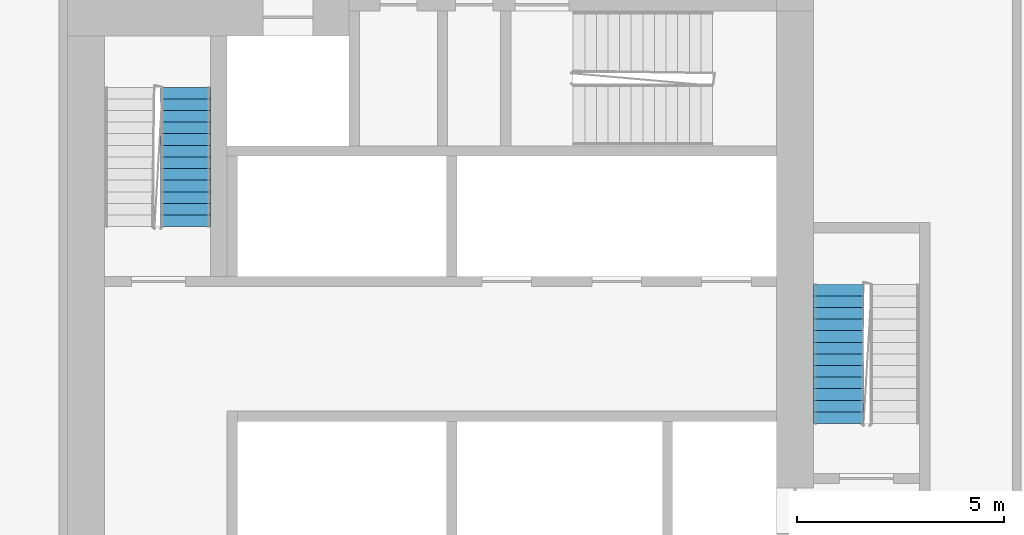
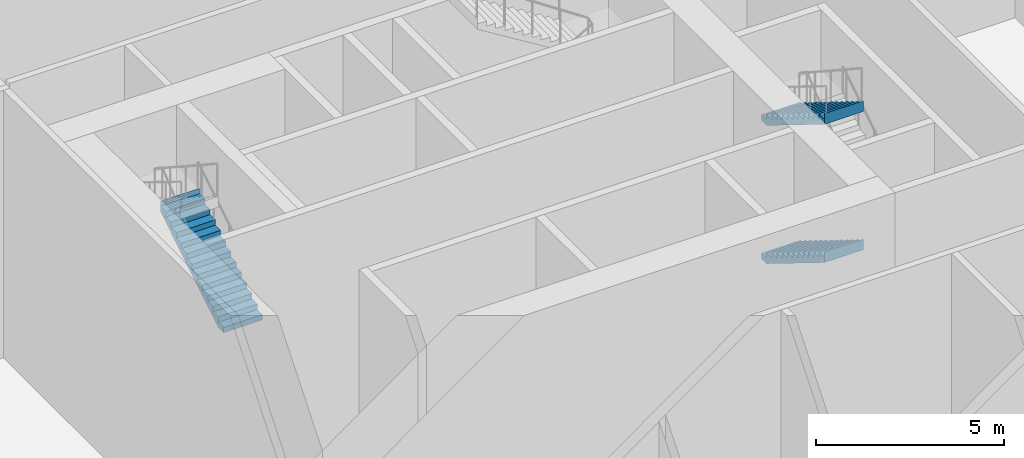
# One storey, part 18 of 24: 3 stair flights, 2 elements without a shape of their own.
"""IFC4 building model written with IfcOpenShell, lengths in metres."""

from ifc_helpers import new_model, si_unit, direction, frame, origin, place, context, subcontext, project, spatial, faceted_brep, material, type_object, element, aggregate, save


model = new_model("IFC4")

# Units and contexts
model_context = context("Model", 3, precision=1e-05, world=origin(), true_north=direction((0.0, 1.0)))
body_context = subcontext(model_context, "Body", "Model", "MODEL_VIEW")
ifc_project = project(units=[si_unit("LENGTHUNIT", "METRE"), si_unit("AREAUNIT", "SQUARE_METRE"), si_unit("VOLUMEUNIT", "CUBIC_METRE"), si_unit("PLANEANGLEUNIT", "RADIAN"), si_unit("MASSUNIT", "GRAM", prefix="KILO")], contexts=[model_context])

# Site, building, storey
site_placement = place(None, origin())
site = spatial("IfcSite", under=ifc_project, at=site_placement, CompositionType="ELEMENT")
building_placement = place(site_placement, origin())
building = spatial("IfcBuilding", under=site, at=building_placement, Name="Kajstack Hotel Tower", CompositionType="ELEMENT")
storey_placement = place(building_placement, frame((0.0, 0.0, 38.0)))
storey = spatial("IfcBuildingStorey", under=building, at=storey_placement, Name="L06", CompositionType="ELEMENT", Elevation=38.0)

# Stair, stair flights
ifc_material = material(Name="Concrete C40/50", Category="concrete")
stair_type = type_object("IfcStairType", Name="Exit stair 1200", PredefinedType="HALF_TURN_STAIR", material=ifc_material)
stair_1_placement = place(storey_placement, origin())
stair_1 = element("IfcStair", 1, at=stair_1_placement, inside=storey, type_object=stair_type, Name="L06 stair E1", PredefinedType="HALF_TURN_STAIR")
stair_flight_type = type_object("IfcStairFlightType", Name="Exit stair flight 1200", PredefinedType="STRAIGHT", material=ifc_material)
stair_flight_1_placement = place(storey_placement, frame((32.10009765625, 8.610107421875, 2.25), z_axis=(0.0, 0.0, 1.0), x_axis=(0.0, -1.0, 0.0)))
stair_flight_1 = element("IfcStairFlight", 2, at=stair_flight_1_placement, type_object=stair_flight_type, Name="E1 flight 2", NumberOfRisers=13, NumberOfTreads=12, PredefinedType="STRAIGHT", RiserHeight=0.173076923, TreadLength=0.28, context=body_context, shape_type="Brep", body=[
    faceted_brep([(0.28564453125, -0.60009765625, 0.0), (3.360595703125, -0.60009765625, 1.900634765625), (3.360595703125, -0.60009765625, 2.25), (3.360107421875, -0.60009765625, 2.25), (3.360107421875, -0.60009765625, 2.076904296875), (3.080078125, -0.60009765625, 2.076904296875), (3.080078125, -0.60009765625, 1.90380859375), (2.800048828125, -0.60009765625, 1.90380859375), (2.800048828125, -0.60009765625, 1.730712890625), (2.52001953125, -0.60009765625, 1.730712890625), (2.52001953125, -0.60009765625, 1.5576171875), (2.239990234375, -0.60009765625, 1.5576171875), (2.239990234375, -0.60009765625, 1.384521484375), (1.9599609375, -0.60009765625, 1.384521484375), (1.9599609375, -0.60009765625, 1.21142578125), (1.679931640625, -0.60009765625, 1.21142578125), (1.679931640625, -0.60009765625, 1.03857421875), (1.39990234375, -0.60009765625, 1.03857421875), (1.39990234375, -0.60009765625, 0.865478515625), (1.1201171875, -0.60009765625, 0.865478515625), (1.1201171875, -0.60009765625, 0.6923828125), (0.840087890625, -0.60009765625, 0.6923828125), (0.840087890625, -0.60009765625, 0.519287109375), (0.56005859375, -0.60009765625, 0.519287109375), (0.56005859375, -0.60009765625, 0.34619140625), (0.280029296875, -0.60009765625, 0.34619140625), (0.280029296875, -0.60009765625, 0.173095703125), (-0.00048828125, -0.60009765625, 0.173095703125), (-0.00048828125, -0.60009765625, 0.0), (-0.00048828125, 0.60009765625, 0.0), (-0.00048828125, 0.60009765625, 0.173095703125), (0.280029296875, 0.60009765625, 0.173095703125), (0.280029296875, 0.60009765625, 0.34619140625), (0.56005859375, 0.60009765625, 0.34619140625), (0.56005859375, 0.60009765625, 0.519287109375), (0.840087890625, 0.60009765625, 0.519287109375), (0.840087890625, 0.60009765625, 0.6923828125), (1.1201171875, 0.60009765625, 0.6923828125), (1.1201171875, 0.60009765625, 0.865478515625), (1.39990234375, 0.60009765625, 0.865478515625), (1.39990234375, 0.60009765625, 1.03857421875), (1.679931640625, 0.60009765625, 1.03857421875), (1.679931640625, 0.60009765625, 1.21142578125), (1.9599609375, 0.60009765625, 1.21142578125), (1.9599609375, 0.60009765625, 1.384521484375), (2.239990234375, 0.60009765625, 1.384521484375), (2.239990234375, 0.60009765625, 1.5576171875), (2.52001953125, 0.60009765625, 1.5576171875), (2.52001953125, 0.60009765625, 1.730712890625), (2.800048828125, 0.60009765625, 1.730712890625), (2.800048828125, 0.60009765625, 1.90380859375), (3.080078125, 0.60009765625, 1.90380859375), (3.080078125, 0.60009765625, 2.076904296875), (3.360107421875, 0.60009765625, 2.076904296875), (3.360107421875, 0.60009765625, 2.25), (3.360595703125, 0.60009765625, 2.25), (3.360595703125, 0.60009765625, 1.900634765625), (0.28564453125, 0.60009765625, 0.0), (-0.00048828125, -0.300048828125, 0.173095703125), (-0.00048828125, 0.0, 0.173095703125), (-0.00048828125, 0.300048828125, 0.173095703125), (-0.00048828125, 0.300048828125, 0.0), (-0.00048828125, 0.0, 0.0), (-0.00048828125, -0.300048828125, 0.0), (0.280029296875, -0.300048828125, 0.173095703125), (0.280029296875, 0.0, 0.173095703125), (0.280029296875, 0.300048828125, 0.173095703125), (0.280029296875, -0.300048828125, 0.34619140625), (0.280029296875, 0.0, 0.34619140625), (0.280029296875, 0.300048828125, 0.34619140625), (0.56005859375, -0.300048828125, 0.34619140625), (0.56005859375, 0.0, 0.34619140625), (0.56005859375, 0.300048828125, 0.34619140625), (0.56005859375, -0.300048828125, 0.519287109375), (0.56005859375, 0.0, 0.519287109375), (0.56005859375, 0.300048828125, 0.519287109375), (0.840087890625, -0.300048828125, 0.519287109375), (0.840087890625, 0.0, 0.519287109375), (0.840087890625, 0.300048828125, 0.519287109375), (0.840087890625, -0.300048828125, 0.6923828125), (0.840087890625, 0.0, 0.6923828125), (0.840087890625, 0.300048828125, 0.6923828125), (1.1201171875, -0.300048828125, 0.6923828125), (1.1201171875, 0.0, 0.6923828125), (1.1201171875, 0.300048828125, 0.6923828125), (1.1201171875, -0.300048828125, 0.865478515625), (1.1201171875, 0.0, 0.865478515625), (1.1201171875, 0.300048828125, 0.865478515625), (1.39990234375, -0.300048828125, 0.865478515625), (1.39990234375, 0.0, 0.865478515625), (1.39990234375, 0.300048828125, 0.865478515625), (1.39990234375, -0.300048828125, 1.03857421875), (1.39990234375, 0.0, 1.03857421875), (1.39990234375, 0.300048828125, 1.03857421875), (1.679931640625, -0.300048828125, 1.03857421875), (1.679931640625, 0.0, 1.03857421875), (1.679931640625, 0.300048828125, 1.03857421875), (1.679931640625, -0.300048828125, 1.21142578125), (1.679931640625, 0.0, 1.21142578125), (1.679931640625, 0.300048828125, 1.21142578125), (1.9599609375, -0.300048828125, 1.21142578125), (1.9599609375, 0.0, 1.21142578125), (1.9599609375, 0.300048828125, 1.21142578125), (1.9599609375, -0.300048828125, 1.384521484375), (1.9599609375, 0.0, 1.384521484375), (1.9599609375, 0.300048828125, 1.384521484375), (2.239990234375, -0.300048828125, 1.384521484375), (2.239990234375, 0.0, 1.384521484375), (2.239990234375, 0.300048828125, 1.384521484375), (2.239990234375, -0.300048828125, 1.5576171875), (2.239990234375, 0.0, 1.5576171875), (2.239990234375, 0.300048828125, 1.5576171875), (2.52001953125, -0.300048828125, 1.5576171875), (2.52001953125, 0.0, 1.5576171875), (2.52001953125, 0.300048828125, 1.5576171875), (2.52001953125, -0.300048828125, 1.730712890625), (2.52001953125, 0.0, 1.730712890625), (2.52001953125, 0.300048828125, 1.730712890625), (2.800048828125, -0.300048828125, 1.730712890625), (2.800048828125, 0.0, 1.730712890625), (2.800048828125, 0.300048828125, 1.730712890625), (2.800048828125, -0.300048828125, 1.90380859375), (2.800048828125, 0.0, 1.90380859375), (2.800048828125, 0.300048828125, 1.90380859375), (3.080078125, -0.300048828125, 1.90380859375), (3.080078125, 0.0, 1.90380859375), (3.080078125, 0.300048828125, 1.90380859375), (3.080078125, -0.300048828125, 2.076904296875), (3.080078125, 0.0, 2.076904296875), (3.080078125, 0.300048828125, 2.076904296875), (3.360107421875, -0.300048828125, 2.076904296875), (3.360107421875, 0.0, 2.076904296875), (3.360107421875, 0.300048828125, 2.076904296875), (3.360107421875, -0.300048828125, 2.25), (3.360107421875, 0.0, 2.25), (3.360107421875, 0.300048828125, 2.25), (3.360595703125, -0.300048828125, 2.25), (3.360595703125, 0.0, 2.25), (3.360595703125, 0.300048828125, 2.25), (3.360595703125, -0.300048828125, 1.900634765625), (3.360595703125, 0.0, 1.900634765625), (3.360595703125, 0.300048828125, 1.900634765625), (0.28564453125, -0.300048828125, 0.0), (0.28564453125, 0.0, 0.0), (0.28564453125, 0.300048828125, 0.0)], [[[0, 1, 2, 3, 4, 5, 6, 7, 8, 9, 10, 11, 12, 13, 14, 15, 16, 17, 18, 19, 20, 21, 22, 23, 24, 25, 26, 27, 28]], [[29, 30, 31, 32, 33, 34, 35, 36, 37, 38, 39, 40, 41, 42, 43, 44, 45, 46, 47, 48, 49, 50, 51, 52, 53, 54, 55, 56, 57]], [[27, 58, 59, 60, 30, 29, 61, 62, 63, 28]], [[26, 64, 65, 66, 31, 30, 60, 59, 58, 27]], [[25, 67, 68, 69, 32, 31, 66, 65, 64, 26]], [[24, 70, 71, 72, 33, 32, 69, 68, 67, 25]], [[23, 73, 74, 75, 34, 33, 72, 71, 70, 24]], [[22, 76, 77, 78, 35, 34, 75, 74, 73, 23]], [[21, 79, 80, 81, 36, 35, 78, 77, 76, 22]], [[20, 82, 83, 84, 37, 36, 81, 80, 79, 21]], [[19, 85, 86, 87, 38, 37, 84, 83, 82, 20]], [[18, 88, 89, 90, 39, 38, 87, 86, 85, 19]], [[17, 91, 92, 93, 40, 39, 90, 89, 88, 18]], [[16, 94, 95, 96, 41, 40, 93, 92, 91, 17]], [[15, 97, 98, 99, 42, 41, 96, 95, 94, 16]], [[14, 100, 101, 102, 43, 42, 99, 98, 97, 15]], [[13, 103, 104, 105, 44, 43, 102, 101, 100, 14]], [[12, 106, 107, 108, 45, 44, 105, 104, 103, 13]], [[11, 109, 110, 111, 46, 45, 108, 107, 106, 12]], [[10, 112, 113, 114, 47, 46, 111, 110, 109, 11]], [[9, 115, 116, 117, 48, 47, 114, 113, 112, 10]], [[8, 118, 119, 120, 49, 48, 117, 116, 115, 9]], [[7, 121, 122, 123, 50, 49, 120, 119, 118, 8]], [[6, 124, 125, 126, 51, 50, 123, 122, 121, 7]], [[5, 127, 128, 129, 52, 51, 126, 125, 124, 6]], [[4, 130, 131, 132, 53, 52, 129, 128, 127, 5]], [[3, 133, 134, 135, 54, 53, 132, 131, 130, 4]], [[2, 136, 137, 138, 55, 54, 135, 134, 133, 3]], [[1, 139, 140, 141, 56, 55, 138, 137, 136, 2]], [[0, 142, 143, 144, 57, 56, 141, 140, 139, 1]], [[28, 63, 62, 61, 29, 57, 144, 143, 142, 0]]]),
])
stair_flight_2_placement = place(storey_placement, frame((32.10009765625, 8.610107421875, 6.75), z_axis=(0.0, 0.0, 1.0), x_axis=(0.0, -1.0, 0.0)))
stair_flight_2 = element("IfcStairFlight", 3, at=stair_flight_2_placement, type_object=stair_flight_type, Name="E1 flight 4", NumberOfRisers=13, NumberOfTreads=12, PredefinedType="STRAIGHT", RiserHeight=0.173076923, TreadLength=0.28, context=body_context, shape_type="Brep", body=[
    faceted_brep([(0.28564453125, -0.60009765625, 0.0), (3.360595703125, -0.60009765625, 1.900634765625), (3.360595703125, -0.60009765625, 2.25), (3.360107421875, -0.60009765625, 2.25), (3.360107421875, -0.60009765625, 2.076904296875), (3.080078125, -0.60009765625, 2.076904296875), (3.080078125, -0.60009765625, 1.90380859375), (2.800048828125, -0.60009765625, 1.90380859375), (2.800048828125, -0.60009765625, 1.730712890625), (2.52001953125, -0.60009765625, 1.730712890625), (2.52001953125, -0.60009765625, 1.5576171875), (2.239990234375, -0.60009765625, 1.5576171875), (2.239990234375, -0.60009765625, 1.384521484375), (1.9599609375, -0.60009765625, 1.384521484375), (1.9599609375, -0.60009765625, 1.21142578125), (1.679931640625, -0.60009765625, 1.21142578125), (1.679931640625, -0.60009765625, 1.03857421875), (1.39990234375, -0.60009765625, 1.03857421875), (1.39990234375, -0.60009765625, 0.865478515625), (1.1201171875, -0.60009765625, 0.865478515625), (1.1201171875, -0.60009765625, 0.6923828125), (0.840087890625, -0.60009765625, 0.6923828125), (0.840087890625, -0.60009765625, 0.519287109375), (0.56005859375, -0.60009765625, 0.519287109375), (0.56005859375, -0.60009765625, 0.34619140625), (0.280029296875, -0.60009765625, 0.34619140625), (0.280029296875, -0.60009765625, 0.173095703125), (-0.00048828125, -0.60009765625, 0.173095703125), (-0.00048828125, -0.60009765625, 0.0), (-0.00048828125, 0.60009765625, 0.0), (-0.00048828125, 0.60009765625, 0.173095703125), (0.280029296875, 0.60009765625, 0.173095703125), (0.280029296875, 0.60009765625, 0.34619140625), (0.56005859375, 0.60009765625, 0.34619140625), (0.56005859375, 0.60009765625, 0.519287109375), (0.840087890625, 0.60009765625, 0.519287109375), (0.840087890625, 0.60009765625, 0.6923828125), (1.1201171875, 0.60009765625, 0.6923828125), (1.1201171875, 0.60009765625, 0.865478515625), (1.39990234375, 0.60009765625, 0.865478515625), (1.39990234375, 0.60009765625, 1.03857421875), (1.679931640625, 0.60009765625, 1.03857421875), (1.679931640625, 0.60009765625, 1.21142578125), (1.9599609375, 0.60009765625, 1.21142578125), (1.9599609375, 0.60009765625, 1.384521484375), (2.239990234375, 0.60009765625, 1.384521484375), (2.239990234375, 0.60009765625, 1.5576171875), (2.52001953125, 0.60009765625, 1.5576171875), (2.52001953125, 0.60009765625, 1.730712890625), (2.800048828125, 0.60009765625, 1.730712890625), (2.800048828125, 0.60009765625, 1.90380859375), (3.080078125, 0.60009765625, 1.90380859375), (3.080078125, 0.60009765625, 2.076904296875), (3.360107421875, 0.60009765625, 2.076904296875), (3.360107421875, 0.60009765625, 2.25), (3.360595703125, 0.60009765625, 2.25), (3.360595703125, 0.60009765625, 1.900634765625), (0.28564453125, 0.60009765625, 0.0), (-0.00048828125, -0.300048828125, 0.173095703125), (-0.00048828125, 0.0, 0.173095703125), (-0.00048828125, 0.300048828125, 0.173095703125), (-0.00048828125, 0.300048828125, 0.0), (-0.00048828125, 0.0, 0.0), (-0.00048828125, -0.300048828125, 0.0), (0.280029296875, -0.300048828125, 0.173095703125), (0.280029296875, 0.0, 0.173095703125), (0.280029296875, 0.300048828125, 0.173095703125), (0.280029296875, -0.300048828125, 0.34619140625), (0.280029296875, 0.0, 0.34619140625), (0.280029296875, 0.300048828125, 0.34619140625), (0.56005859375, -0.300048828125, 0.34619140625), (0.56005859375, 0.0, 0.34619140625), (0.56005859375, 0.300048828125, 0.34619140625), (0.56005859375, -0.300048828125, 0.519287109375), (0.56005859375, 0.0, 0.519287109375), (0.56005859375, 0.300048828125, 0.519287109375), (0.840087890625, -0.300048828125, 0.519287109375), (0.840087890625, 0.0, 0.519287109375), (0.840087890625, 0.300048828125, 0.519287109375), (0.840087890625, -0.300048828125, 0.6923828125), (0.840087890625, 0.0, 0.6923828125), (0.840087890625, 0.300048828125, 0.6923828125), (1.1201171875, -0.300048828125, 0.6923828125), (1.1201171875, 0.0, 0.6923828125), (1.1201171875, 0.300048828125, 0.6923828125), (1.1201171875, -0.300048828125, 0.865478515625), (1.1201171875, 0.0, 0.865478515625), (1.1201171875, 0.300048828125, 0.865478515625), (1.39990234375, -0.300048828125, 0.865478515625), (1.39990234375, 0.0, 0.865478515625), (1.39990234375, 0.300048828125, 0.865478515625), (1.39990234375, -0.300048828125, 1.03857421875), (1.39990234375, 0.0, 1.03857421875), (1.39990234375, 0.300048828125, 1.03857421875), (1.679931640625, -0.300048828125, 1.03857421875), (1.679931640625, 0.0, 1.03857421875), (1.679931640625, 0.300048828125, 1.03857421875), (1.679931640625, -0.300048828125, 1.21142578125), (1.679931640625, 0.0, 1.21142578125), (1.679931640625, 0.300048828125, 1.21142578125), (1.9599609375, -0.300048828125, 1.21142578125), (1.9599609375, 0.0, 1.21142578125), (1.9599609375, 0.300048828125, 1.21142578125), (1.9599609375, -0.300048828125, 1.384521484375), (1.9599609375, 0.0, 1.384521484375), (1.9599609375, 0.300048828125, 1.384521484375), (2.239990234375, -0.300048828125, 1.384521484375), (2.239990234375, 0.0, 1.384521484375), (2.239990234375, 0.300048828125, 1.384521484375), (2.239990234375, -0.300048828125, 1.5576171875), (2.239990234375, 0.0, 1.5576171875), (2.239990234375, 0.300048828125, 1.5576171875), (2.52001953125, -0.300048828125, 1.5576171875), (2.52001953125, 0.0, 1.5576171875), (2.52001953125, 0.300048828125, 1.5576171875), (2.52001953125, -0.300048828125, 1.730712890625), (2.52001953125, 0.0, 1.730712890625), (2.52001953125, 0.300048828125, 1.730712890625), (2.800048828125, -0.300048828125, 1.730712890625), (2.800048828125, 0.0, 1.730712890625), (2.800048828125, 0.300048828125, 1.730712890625), (2.800048828125, -0.300048828125, 1.90380859375), (2.800048828125, 0.0, 1.90380859375), (2.800048828125, 0.300048828125, 1.90380859375), (3.080078125, -0.300048828125, 1.90380859375), (3.080078125, 0.0, 1.90380859375), (3.080078125, 0.300048828125, 1.90380859375), (3.080078125, -0.300048828125, 2.076904296875), (3.080078125, 0.0, 2.076904296875), (3.080078125, 0.300048828125, 2.076904296875), (3.360107421875, -0.300048828125, 2.076904296875), (3.360107421875, 0.0, 2.076904296875), (3.360107421875, 0.300048828125, 2.076904296875), (3.360107421875, -0.300048828125, 2.25), (3.360107421875, 0.0, 2.25), (3.360107421875, 0.300048828125, 2.25), (3.360595703125, -0.300048828125, 2.25), (3.360595703125, 0.0, 2.25), (3.360595703125, 0.300048828125, 2.25), (3.360595703125, -0.300048828125, 1.900634765625), (3.360595703125, 0.0, 1.900634765625), (3.360595703125, 0.300048828125, 1.900634765625), (0.28564453125, -0.300048828125, 0.0), (0.28564453125, 0.0, 0.0), (0.28564453125, 0.300048828125, 0.0)], [[[0, 1, 2, 3, 4, 5, 6, 7, 8, 9, 10, 11, 12, 13, 14, 15, 16, 17, 18, 19, 20, 21, 22, 23, 24, 25, 26, 27, 28]], [[29, 30, 31, 32, 33, 34, 35, 36, 37, 38, 39, 40, 41, 42, 43, 44, 45, 46, 47, 48, 49, 50, 51, 52, 53, 54, 55, 56, 57]], [[27, 58, 59, 60, 30, 29, 61, 62, 63, 28]], [[26, 64, 65, 66, 31, 30, 60, 59, 58, 27]], [[25, 67, 68, 69, 32, 31, 66, 65, 64, 26]], [[24, 70, 71, 72, 33, 32, 69, 68, 67, 25]], [[23, 73, 74, 75, 34, 33, 72, 71, 70, 24]], [[22, 76, 77, 78, 35, 34, 75, 74, 73, 23]], [[21, 79, 80, 81, 36, 35, 78, 77, 76, 22]], [[20, 82, 83, 84, 37, 36, 81, 80, 79, 21]], [[19, 85, 86, 87, 38, 37, 84, 83, 82, 20]], [[18, 88, 89, 90, 39, 38, 87, 86, 85, 19]], [[17, 91, 92, 93, 40, 39, 90, 89, 88, 18]], [[16, 94, 95, 96, 41, 40, 93, 92, 91, 17]], [[15, 97, 98, 99, 42, 41, 96, 95, 94, 16]], [[14, 100, 101, 102, 43, 42, 99, 98, 97, 15]], [[13, 103, 104, 105, 44, 43, 102, 101, 100, 14]], [[12, 106, 107, 108, 45, 44, 105, 104, 103, 13]], [[11, 109, 110, 111, 46, 45, 108, 107, 106, 12]], [[10, 112, 113, 114, 47, 46, 111, 110, 109, 11]], [[9, 115, 116, 117, 48, 47, 114, 113, 112, 10]], [[8, 118, 119, 120, 49, 48, 117, 116, 115, 9]], [[7, 121, 122, 123, 50, 49, 120, 119, 118, 8]], [[6, 124, 125, 126, 51, 50, 123, 122, 121, 7]], [[5, 127, 128, 129, 52, 51, 126, 125, 124, 6]], [[4, 130, 131, 132, 53, 52, 129, 128, 127, 5]], [[3, 133, 134, 135, 54, 53, 132, 131, 130, 4]], [[2, 136, 137, 138, 55, 54, 135, 134, 133, 3]], [[1, 139, 140, 141, 56, 55, 138, 137, 136, 2]], [[0, 142, 143, 144, 57, 56, 141, 140, 139, 1]], [[28, 63, 62, 61, 29, 57, 144, 143, 142, 0]]]),
])
aggregate(stair_1, [stair_flight_1, stair_flight_2])

# Stair, stair flight
stair_2_placement = place(storey_placement, origin())
stair_2 = element("IfcStair", 4, at=stair_2_placement, inside=storey, type_object=stair_type, Name="L06 stair E2", PredefinedType="HALF_TURN_STAIR")
stair_flight_3_placement = place(storey_placement, frame((16.35009765625, 10.0, 4.5), z_axis=(0.0, 0.0, 1.0), x_axis=(0.0, 1.0, 0.0)))
stair_flight_3 = element("IfcStairFlight", 5, at=stair_flight_3_placement, type_object=stair_flight_type, Name="E2 flight 3", NumberOfRisers=13, NumberOfTreads=12, PredefinedType="STRAIGHT", RiserHeight=0.173076923, TreadLength=0.28, context=body_context, shape_type="Brep", body=[
    faceted_brep([(0.28564453125, -0.60009765625, 0.0), (3.360595703125, -0.60009765625, 1.900634765625), (3.360595703125, -0.60009765625, 2.25), (3.360107421875, -0.60009765625, 2.25), (3.360107421875, -0.60009765625, 2.076904296875), (3.080078125, -0.60009765625, 2.076904296875), (3.080078125, -0.60009765625, 1.90380859375), (2.800048828125, -0.60009765625, 1.90380859375), (2.800048828125, -0.60009765625, 1.730712890625), (2.52001953125, -0.60009765625, 1.730712890625), (2.52001953125, -0.60009765625, 1.5576171875), (2.239990234375, -0.60009765625, 1.5576171875), (2.239990234375, -0.60009765625, 1.384521484375), (1.9599609375, -0.60009765625, 1.384521484375), (1.9599609375, -0.60009765625, 1.21142578125), (1.679931640625, -0.60009765625, 1.21142578125), (1.679931640625, -0.60009765625, 1.03857421875), (1.39990234375, -0.60009765625, 1.03857421875), (1.39990234375, -0.60009765625, 0.865478515625), (1.1201171875, -0.60009765625, 0.865478515625), (1.1201171875, -0.60009765625, 0.6923828125), (0.840087890625, -0.60009765625, 0.6923828125), (0.840087890625, -0.60009765625, 0.519287109375), (0.56005859375, -0.60009765625, 0.519287109375), (0.56005859375, -0.60009765625, 0.34619140625), (0.280029296875, -0.60009765625, 0.34619140625), (0.280029296875, -0.60009765625, 0.173095703125), (-0.00048828125, -0.60009765625, 0.173095703125), (-0.00048828125, -0.60009765625, 0.0), (-0.00048828125, 0.60009765625, 0.0), (-0.00048828125, 0.60009765625, 0.173095703125), (0.280029296875, 0.60009765625, 0.173095703125), (0.280029296875, 0.60009765625, 0.34619140625), (0.56005859375, 0.60009765625, 0.34619140625), (0.56005859375, 0.60009765625, 0.519287109375), (0.840087890625, 0.60009765625, 0.519287109375), (0.840087890625, 0.60009765625, 0.6923828125), (1.1201171875, 0.60009765625, 0.6923828125), (1.1201171875, 0.60009765625, 0.865478515625), (1.39990234375, 0.60009765625, 0.865478515625), (1.39990234375, 0.60009765625, 1.03857421875), (1.679931640625, 0.60009765625, 1.03857421875), (1.679931640625, 0.60009765625, 1.21142578125), (1.9599609375, 0.60009765625, 1.21142578125), (1.9599609375, 0.60009765625, 1.384521484375), (2.239990234375, 0.60009765625, 1.384521484375), (2.239990234375, 0.60009765625, 1.5576171875), (2.52001953125, 0.60009765625, 1.5576171875), (2.52001953125, 0.60009765625, 1.730712890625), (2.800048828125, 0.60009765625, 1.730712890625), (2.800048828125, 0.60009765625, 1.90380859375), (3.080078125, 0.60009765625, 1.90380859375), (3.080078125, 0.60009765625, 2.076904296875), (3.360107421875, 0.60009765625, 2.076904296875), (3.360107421875, 0.60009765625, 2.25), (3.360595703125, 0.60009765625, 2.25), (3.360595703125, 0.60009765625, 1.900634765625), (0.28564453125, 0.60009765625, 0.0), (-0.00048828125, -0.300048828125, 0.173095703125), (-0.00048828125, 0.0, 0.173095703125), (-0.00048828125, 0.300048828125, 0.173095703125), (-0.00048828125, 0.300048828125, 0.0), (-0.00048828125, 0.0, 0.0), (-0.00048828125, -0.300048828125, 0.0), (0.280029296875, -0.300048828125, 0.173095703125), (0.280029296875, 0.0, 0.173095703125), (0.280029296875, 0.300048828125, 0.173095703125), (0.280029296875, -0.300048828125, 0.34619140625), (0.280029296875, 0.0, 0.34619140625), (0.280029296875, 0.300048828125, 0.34619140625), (0.56005859375, -0.300048828125, 0.34619140625), (0.56005859375, 0.0, 0.34619140625), (0.56005859375, 0.300048828125, 0.34619140625), (0.56005859375, -0.300048828125, 0.519287109375), (0.56005859375, 0.0, 0.519287109375), (0.56005859375, 0.300048828125, 0.519287109375), (0.840087890625, -0.300048828125, 0.519287109375), (0.840087890625, 0.0, 0.519287109375), (0.840087890625, 0.300048828125, 0.519287109375), (0.840087890625, -0.300048828125, 0.6923828125), (0.840087890625, 0.0, 0.6923828125), (0.840087890625, 0.300048828125, 0.6923828125), (1.1201171875, -0.300048828125, 0.6923828125), (1.1201171875, 0.0, 0.6923828125), (1.1201171875, 0.300048828125, 0.6923828125), (1.1201171875, -0.300048828125, 0.865478515625), (1.1201171875, 0.0, 0.865478515625), (1.1201171875, 0.300048828125, 0.865478515625), (1.39990234375, -0.300048828125, 0.865478515625), (1.39990234375, 0.0, 0.865478515625), (1.39990234375, 0.300048828125, 0.865478515625), (1.39990234375, -0.300048828125, 1.03857421875), (1.39990234375, 0.0, 1.03857421875), (1.39990234375, 0.300048828125, 1.03857421875), (1.679931640625, -0.300048828125, 1.03857421875), (1.679931640625, 0.0, 1.03857421875), (1.679931640625, 0.300048828125, 1.03857421875), (1.679931640625, -0.300048828125, 1.21142578125), (1.679931640625, 0.0, 1.21142578125), (1.679931640625, 0.300048828125, 1.21142578125), (1.9599609375, -0.300048828125, 1.21142578125), (1.9599609375, 0.0, 1.21142578125), (1.9599609375, 0.300048828125, 1.21142578125), (1.9599609375, -0.300048828125, 1.384521484375), (1.9599609375, 0.0, 1.384521484375), (1.9599609375, 0.300048828125, 1.384521484375), (2.239990234375, -0.300048828125, 1.384521484375), (2.239990234375, 0.0, 1.384521484375), (2.239990234375, 0.300048828125, 1.384521484375), (2.239990234375, -0.300048828125, 1.5576171875), (2.239990234375, 0.0, 1.5576171875), (2.239990234375, 0.300048828125, 1.5576171875), (2.52001953125, -0.300048828125, 1.5576171875), (2.52001953125, 0.0, 1.5576171875), (2.52001953125, 0.300048828125, 1.5576171875), (2.52001953125, -0.300048828125, 1.730712890625), (2.52001953125, 0.0, 1.730712890625), (2.52001953125, 0.300048828125, 1.730712890625), (2.800048828125, -0.300048828125, 1.730712890625), (2.800048828125, 0.0, 1.730712890625), (2.800048828125, 0.300048828125, 1.730712890625), (2.800048828125, -0.300048828125, 1.90380859375), (2.800048828125, 0.0, 1.90380859375), (2.800048828125, 0.300048828125, 1.90380859375), (3.080078125, -0.300048828125, 1.90380859375), (3.080078125, 0.0, 1.90380859375), (3.080078125, 0.300048828125, 1.90380859375), (3.080078125, -0.300048828125, 2.076904296875), (3.080078125, 0.0, 2.076904296875), (3.080078125, 0.300048828125, 2.076904296875), (3.360107421875, -0.300048828125, 2.076904296875), (3.360107421875, 0.0, 2.076904296875), (3.360107421875, 0.300048828125, 2.076904296875), (3.360107421875, -0.300048828125, 2.25), (3.360107421875, 0.0, 2.25), (3.360107421875, 0.300048828125, 2.25), (3.360595703125, -0.300048828125, 2.25), (3.360595703125, 0.0, 2.25), (3.360595703125, 0.300048828125, 2.25), (3.360595703125, -0.300048828125, 1.900634765625), (3.360595703125, 0.0, 1.900634765625), (3.360595703125, 0.300048828125, 1.900634765625), (0.28564453125, -0.300048828125, 0.0), (0.28564453125, 0.0, 0.0), (0.28564453125, 0.300048828125, 0.0)], [[[0, 1, 2, 3, 4, 5, 6, 7, 8, 9, 10, 11, 12, 13, 14, 15, 16, 17, 18, 19, 20, 21, 22, 23, 24, 25, 26, 27, 28]], [[29, 30, 31, 32, 33, 34, 35, 36, 37, 38, 39, 40, 41, 42, 43, 44, 45, 46, 47, 48, 49, 50, 51, 52, 53, 54, 55, 56, 57]], [[27, 58, 59, 60, 30, 29, 61, 62, 63, 28]], [[26, 64, 65, 66, 31, 30, 60, 59, 58, 27]], [[25, 67, 68, 69, 32, 31, 66, 65, 64, 26]], [[24, 70, 71, 72, 33, 32, 69, 68, 67, 25]], [[23, 73, 74, 75, 34, 33, 72, 71, 70, 24]], [[22, 76, 77, 78, 35, 34, 75, 74, 73, 23]], [[21, 79, 80, 81, 36, 35, 78, 77, 76, 22]], [[20, 82, 83, 84, 37, 36, 81, 80, 79, 21]], [[19, 85, 86, 87, 38, 37, 84, 83, 82, 20]], [[18, 88, 89, 90, 39, 38, 87, 86, 85, 19]], [[17, 91, 92, 93, 40, 39, 90, 89, 88, 18]], [[16, 94, 95, 96, 41, 40, 93, 92, 91, 17]], [[15, 97, 98, 99, 42, 41, 96, 95, 94, 16]], [[14, 100, 101, 102, 43, 42, 99, 98, 97, 15]], [[13, 103, 104, 105, 44, 43, 102, 101, 100, 14]], [[12, 106, 107, 108, 45, 44, 105, 104, 103, 13]], [[11, 109, 110, 111, 46, 45, 108, 107, 106, 12]], [[10, 112, 113, 114, 47, 46, 111, 110, 109, 11]], [[9, 115, 116, 117, 48, 47, 114, 113, 112, 10]], [[8, 118, 119, 120, 49, 48, 117, 116, 115, 9]], [[7, 121, 122, 123, 50, 49, 120, 119, 118, 8]], [[6, 124, 125, 126, 51, 50, 123, 122, 121, 7]], [[5, 127, 128, 129, 52, 51, 126, 125, 124, 6]], [[4, 130, 131, 132, 53, 52, 129, 128, 127, 5]], [[3, 133, 134, 135, 54, 53, 132, 131, 130, 4]], [[2, 136, 137, 138, 55, 54, 135, 134, 133, 3]], [[1, 139, 140, 141, 56, 55, 138, 137, 136, 2]], [[0, 142, 143, 144, 57, 56, 141, 140, 139, 1]], [[28, 63, 62, 61, 29, 57, 144, 143, 142, 0]]]),
])
aggregate(stair_2, [stair_flight_3])

save(model, "model.ifc")
